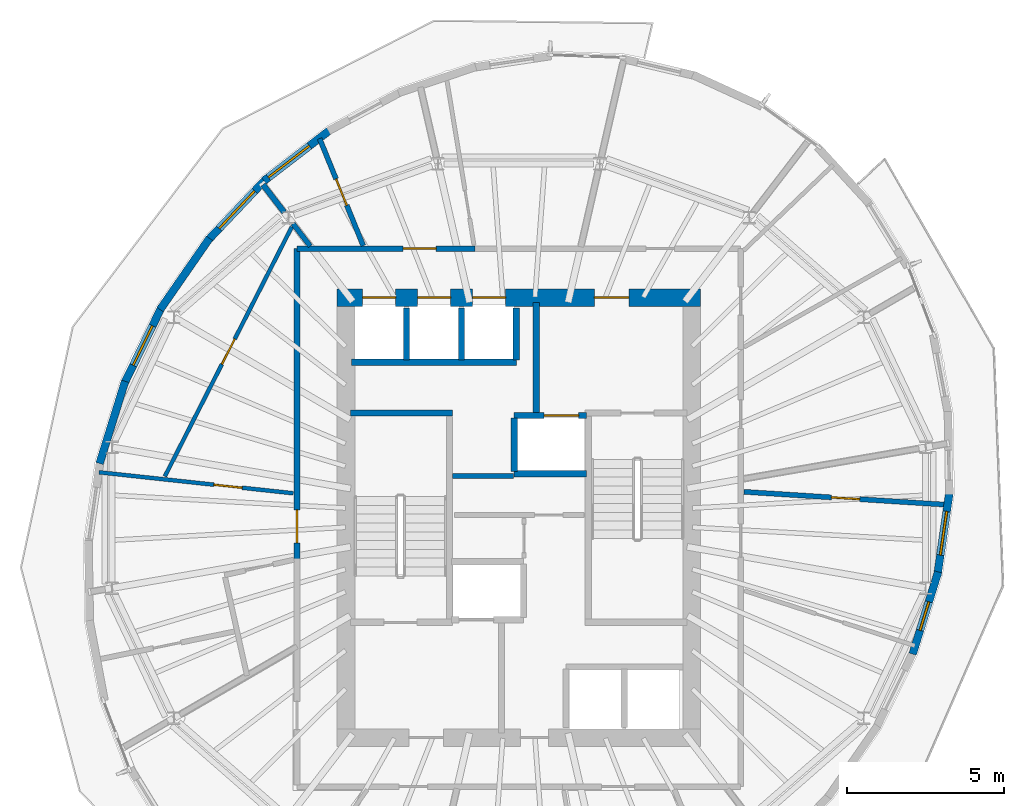
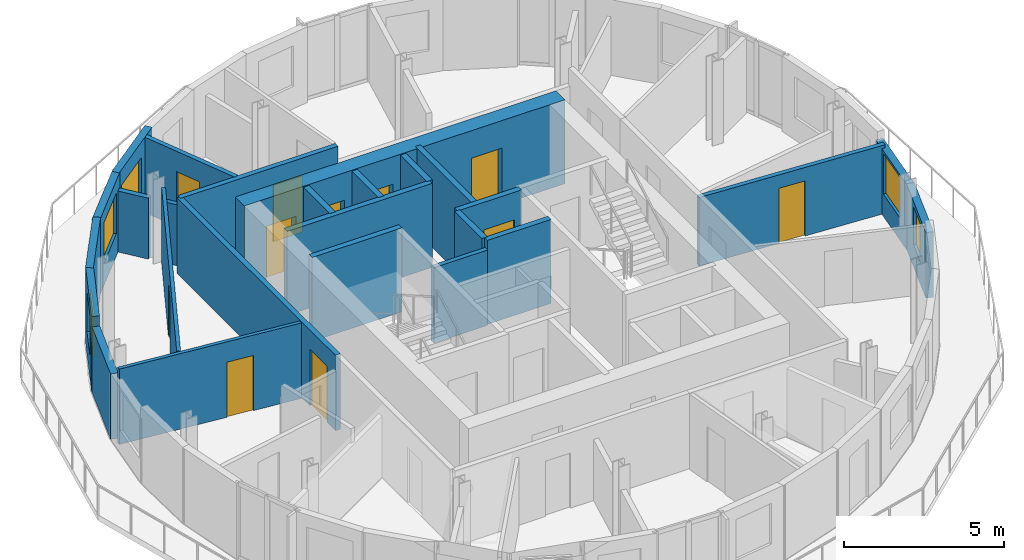
# One storey, part 6 of 11: 26 walls, 11 doors, 5 windows, 16 openings.
"""IFC4 building model written with IfcOpenShell, lengths in metres."""

from ifc_helpers import new_model, si_unit, direction, frame, frame_2d, origin, place, context, subcontext, project, spatial, rectangle, extrude, material, layer, layer_set, type_object, element, fill, save


model = new_model("IFC4")

# Units and contexts
model_context = context("Model", 3, precision=1e-05, world=origin(), true_north=direction((0.0, 1.0)))
body_context = subcontext(model_context, "Body", "Model", "MODEL_VIEW")
ifc_project = project(units=[si_unit("LENGTHUNIT", "METRE"), si_unit("AREAUNIT", "SQUARE_METRE"), si_unit("VOLUMEUNIT", "CUBIC_METRE"), si_unit("PLANEANGLEUNIT", "RADIAN"), si_unit("MASSUNIT", "GRAM", prefix="KILO")], contexts=[model_context])

# Site, building, storey
site_placement = place(None, origin())
site = spatial("IfcSite", under=ifc_project, at=site_placement, CompositionType="ELEMENT")
building_placement = place(site_placement, origin())
building = spatial("IfcBuilding", under=site, at=building_placement, Name="Veldorim Arch Residences", CompositionType="ELEMENT")
storey_placement = place(building_placement, frame((0.0, 0.0, 239.840087890625)))
storey = spatial("IfcBuildingStorey", under=building, at=storey_placement, Name="L72", CompositionType="ELEMENT", Elevation=239.840087890625)

# Wall, opening, door
ifc_material_1 = material(Name="Acoustic Gypsum Board", Category="gypsum")
ifc_layer_1 = layer(ifc_material_1, 0.125, Name="Acoustic Stud Room Partition Wall 125")
ifc_layer_set_1 = layer_set([ifc_layer_1], Name="Acoustic Gypsum Board")
wall_type_1 = type_object("IfcWallType", Name="Acoustic Stud Room Partition Wall 125", PredefinedType="PARTITIONING", material=ifc_layer_set_1)
wall_1_placement = place(storey_placement, frame((18.640380859375, 25.444580078125, 0.0), z_axis=(0.0, 0.0, 1.0), x_axis=(0.994206026696, -0.107491285604, 0.0)))
wall_1 = element("IfcWall", 1, at=wall_1_placement, inside=storey, type_object=wall_type_1, Name="L72 interior wall WL-RES-L72-025", PredefinedType="PARTITIONING", context=body_context, shape_type="SweptSolid", body=[
    extrude(rectangle(XDim=6.216552734375, YDim=0.125, at=frame_2d((3.1083984375, 0.0))), origin(), (0.0, 0.0, 1.0), 2.875),
])
opening_1_placement = place(wall_1_placement, frame((3.67822265625, 0.0, 0.0)))
opening_1 = element("IfcOpeningElement", 2, at=opening_1_placement, cuts=wall_1, Name="Opening DR-INT", PredefinedType="OPENING", context=body_context, shape_type="SweptSolid", body=[
    extrude(rectangle(XDim=0.89990234375, YDim=2.10009765625, at=frame_2d((0.449951171875, 1.050048828125))), frame((0.0, 0.072509765625, 0.0), z_axis=(0.0, -1.0, 0.0), x_axis=(1.0, 0.0, 0.0)), (0.0, 0.0, 1.0), 0.14501953125),
])
ifc_material_2 = material(Name="Engineered Timber", Category="wood")
door_type_1 = type_object("IfcDoorType", Name="Apartment Internal Room Timber Door 900x2100", OperationType="SINGLE_SWING_LEFT", PredefinedType="DOOR", material=ifc_material_2)
door_1_placement = place(opening_1_placement, origin())
door_1 = element("IfcDoor", 3, at=door_1_placement, inside=storey, type_object=door_type_1, Name="L72 interior door DR-RES-L72-017", OperationType="SINGLE_SWING_LEFT", OverallHeight=2.10009765625, OverallWidth=0.89990234375, PredefinedType="DOOR", context=body_context, shape_type="SweptSolid", body=[
    extrude(rectangle(XDim=0.89990234375, YDim=2.10009765625, at=frame_2d((0.449951171875, 1.050048828125))), frame((0.0, 0.02490234375, 0.0), z_axis=(0.0, -1.0, 0.0), x_axis=(1.0, 0.0, 0.0)), (0.0, 0.0, 1.0), 0.050048828125),
])
fill(opening_1, door_1)

wall_2_placement = place(storey_placement, frame((20.733642578125, 25.312255859375, 0.0), z_axis=(0.0, 0.0, 1.0), x_axis=(0.45353588766, 0.891238014564, 0.0)))
wall_2 = element("IfcWall", 4, at=wall_2_placement, inside=storey, type_object=wall_type_1, Name="L72 interior wall WL-RES-L72-028", PredefinedType="PARTITIONING", context=body_context, shape_type="SweptSolid", body=[
    extrude(rectangle(XDim=8.912109375, YDim=0.125, at=frame_2d((4.4560546875, 0.0))), origin(), (0.0, 0.0, 1.0), 2.875),
])
opening_2_placement = place(wall_2_placement, frame((4.006103515625, 0.0, 0.0)))
opening_2 = element("IfcOpeningElement", 5, at=opening_2_placement, cuts=wall_2, Name="Opening DR-INT", PredefinedType="OPENING", context=body_context, shape_type="SweptSolid", body=[
    extrude(rectangle(XDim=0.89990234375, YDim=2.10009765625, at=frame_2d((0.449951171875, 1.050048828125))), frame((0.0, 0.072509765625, 0.0), z_axis=(0.0, -1.0, 0.0), x_axis=(1.0, 0.0, 0.0)), (0.0, 0.0, 1.0), 0.14501953125),
])
door_2_placement = place(opening_2_placement, origin())
door_2 = element("IfcDoor", 6, at=door_2_placement, inside=storey, type_object=door_type_1, Name="L72 interior door DR-RES-L72-018", OperationType="SINGLE_SWING_RIGHT", OverallHeight=2.10009765625, OverallWidth=0.89990234375, PredefinedType="DOOR", context=body_context, shape_type="SweptSolid", body=[
    extrude(rectangle(XDim=0.89990234375, YDim=2.10009765625, at=frame_2d((0.449951171875, 1.050048828125))), frame((0.0, 0.02490234375, 0.0), z_axis=(0.0, -1.0, 0.0), x_axis=(1.0, 0.0, 0.0)), (0.0, 0.0, 1.0), 0.050048828125),
])
fill(opening_2, door_2)

# Wall
ifc_material_3 = material(Name="Lightweight Masonry Block & Gypsum", Category="masonry")
ifc_layer_2 = layer(ifc_material_3, 0.179931640625, Name="Compartment & Corridor Fire-Rated Party Wall 180")
ifc_layer_set_2 = layer_set([ifc_layer_2], Name="Lightweight Masonry Block & Gypsum")
wall_type_2 = type_object("IfcWallType", Name="Compartment & Corridor Fire-Rated Party Wall 180", PredefinedType="PARTITIONING", material=ifc_layer_set_2)
wall_3_placement = place(storey_placement, frame((24.53271484375, 33.719482421875, 0.0), z_axis=(0.0, 0.0, 1.0), x_axis=(-0.609209464238, 0.793009349682, 0.0)))
element("IfcWall", 7, at=wall_3_placement, inside=storey, type_object=wall_type_2, Name="L72 interior wall WL-PIER-L72-06", PredefinedType="PARTITIONING", context=body_context, shape_type="SweptSolid", body=[
    extrude(rectangle(XDim=1.1064453125, YDim=0.179931640625, at=frame_2d((0.55322265625, 0.0))), origin(), (0.0, 0.0, 1.0), 2.3232421875),
])

# Wall, opening, door
wall_4_placement = place(storey_placement, frame((24.93994140625, 32.56005859375, 0.0), z_axis=(0.0, 0.0, 1.0), x_axis=(1.0, 0.0, 0.0)))
wall_4 = element("IfcWall", 8, at=wall_4_placement, inside=storey, type_object=wall_type_2, Name="L72 interior wall WL-RES-L72-007", PredefinedType="PARTITIONING", context=body_context, shape_type="SweptSolid", body=[
    extrude(rectangle(XDim=5.671875, YDim=0.179931640625, at=frame_2d((2.8359375, 0.0))), origin(), (0.0, 0.0, 1.0), 2.875),
])
opening_3_placement = place(wall_4_placement, frame((3.373291015625, 0.0, 0.0)))
opening_3 = element("IfcOpeningElement", 9, at=opening_3_placement, cuts=wall_4, Name="Opening DR-FLT", PredefinedType="OPENING", context=body_context, shape_type="SweptSolid", body=[
    extrude(rectangle(XDim=1.050048828125, YDim=2.14990234375, at=frame_2d((0.52490234375, 1.074951171875))), frame((0.0, 0.099853515625, 0.0), z_axis=(0.0, -1.0, 0.0), x_axis=(1.0, 0.0, 0.0)), (0.0, 0.0, 1.0), 0.199951171875),
])
ifc_material_4 = material(Name="Fire-Rated Timber", Category="wood")
door_type_2 = type_object("IfcDoorType", Name="Apartment Entrance Solid-Core Fire Door 1050x2150", OperationType="SINGLE_SWING_LEFT", PredefinedType="DOOR", material=ifc_material_4)
door_3_placement = place(opening_3_placement, origin())
door_3 = element("IfcDoor", 10, at=door_3_placement, inside=storey, type_object=door_type_2, Name="L72 interior door DR-RES-L72-012", OperationType="SINGLE_SWING_RIGHT", OverallHeight=2.14990234375, OverallWidth=1.050048828125, PredefinedType="DOOR", context=body_context, shape_type="SweptSolid", body=[
    extrude(rectangle(XDim=1.050048828125, YDim=2.14990234375, at=frame_2d((0.52490234375, 1.074951171875))), frame((0.0, 0.02490234375, 0.0), z_axis=(0.0, -1.0, 0.0), x_axis=(1.0, 0.0, 0.0)), (0.0, 0.0, 1.0), 0.050048828125),
])
fill(opening_3, door_3)

wall_5_placement = place(storey_placement, frame((24.93994140625, 22.664306640625, 0.0), z_axis=(0.0, 0.0, 1.0), x_axis=(0.0, 1.0, 0.0)))
wall_5 = element("IfcWall", 11, at=wall_5_placement, inside=storey, type_object=wall_type_2, Name="L72 interior wall WL-RES-L72-008", PredefinedType="PARTITIONING", context=body_context, shape_type="SweptSolid", body=[
    extrude(rectangle(XDim=9.895751953125, YDim=0.179931640625, at=frame_2d((4.94775390625, 0.0))), origin(), (0.0, 0.0, 1.0), 2.875),
])
opening_4_placement = place(wall_5_placement, frame((0.53466796875, 0.0, 0.0)))
opening_4 = element("IfcOpeningElement", 12, at=opening_4_placement, cuts=wall_5, Name="Opening DR-FLT", PredefinedType="OPENING", context=body_context, shape_type="SweptSolid", body=[
    extrude(rectangle(XDim=1.050048828125, YDim=2.14990234375, at=frame_2d((0.52490234375, 1.074951171875))), frame((0.0, 0.099853515625, 0.0), z_axis=(0.0, -1.0, 0.0), x_axis=(1.0, 0.0, 0.0)), (0.0, 0.0, 1.0), 0.199951171875),
])
door_4_placement = place(opening_4_placement, origin())
door_4 = element("IfcDoor", 13, at=door_4_placement, inside=storey, type_object=door_type_2, Name="L72 interior door DR-RES-L72-015", OperationType="SINGLE_SWING_LEFT", OverallHeight=2.14990234375, OverallWidth=1.050048828125, PredefinedType="DOOR", context=body_context, shape_type="SweptSolid", body=[
    extrude(rectangle(XDim=1.050048828125, YDim=2.14990234375, at=frame_2d((0.52490234375, 1.074951171875))), frame((0.0, 0.02490234375, 0.0), z_axis=(0.0, -1.0, 0.0), x_axis=(1.0, 0.0, 0.0)), (0.0, 0.0, 1.0), 0.050048828125),
])
fill(opening_4, door_4)

# Walls
ifc_material_5 = material(Name="Concrete C50/60", Category="concrete")
ifc_layer_3 = layer(ifc_material_5, 0.199951171875, Name="Core Stair & Lift Shaft Enclosure Wall 200")
ifc_layer_set_3 = layer_set([ifc_layer_3], Name="Concrete C50/60")
wall_type_3 = type_object("IfcWallType", Name="Core Stair & Lift Shaft Enclosure Wall 200", PredefinedType="SHEAR", material=ifc_layer_set_3)
wall_6_placement = place(storey_placement, frame((26.64990234375, 27.330078125, 0.0), z_axis=(0.0, 0.0, 1.0), x_axis=(1.0, 0.0, 0.0)))
element("IfcWall", 14, at=wall_6_placement, inside=storey, type_object=wall_type_3, Name="L72 shaft wall WL-SHF-L72-ST1-N", PredefinedType="SHEAR", context=body_context, shape_type="SweptSolid", body=[
    extrude(rectangle(XDim=3.239990234375, YDim=0.199951171875, at=frame_2d((1.6201171875, 0.0))), origin(), (0.0, 0.0, 1.0), 3.199951171875),
])
wall_7_placement = place(storey_placement, frame((32.550048828125, 27.35009765625, 0.0), z_axis=(0.0, 0.0, 1.0), x_axis=(0.0, 1.0, 0.0)))
element("IfcWall", 15, at=wall_7_placement, inside=storey, type_object=wall_type_3, Name="L72 shaft wall WL-FFL2-L72-W", PredefinedType="SHEAR", context=body_context, shape_type="SweptSolid", body=[
    extrude(rectangle(XDim=3.5, YDim=0.199951171875, at=frame_2d((1.75, 0.0))), origin(), (0.0, 0.0, 1.0), 3.199951171875),
])

# Wall, opening, door
wall_8_placement = place(storey_placement, frame((31.85009765625, 27.25, 0.0), z_axis=(0.0, 0.0, 1.0), x_axis=(1.0, 0.0, 0.0)))
wall_8 = element("IfcWall", 16, at=wall_8_placement, inside=storey, type_object=wall_type_3, Name="L72 shaft wall WL-FL02-L72-N", PredefinedType="SHEAR", context=body_context, shape_type="SweptSolid", body=[
    extrude(rectangle(XDim=2.2998046875, YDim=0.199951171875, at=frame_2d((1.14990234375, 0.0))), origin(), (0.0, 0.0, 1.0), 3.199951171875),
])
opening_5_placement = place(wall_8_placement, frame((0.949951171875, 0.0, 0.0)))
opening_5 = element("IfcOpeningElement", 17, at=opening_5_placement, cuts=wall_8, Name="Opening LD-FF", PredefinedType="OPENING", context=body_context, shape_type="SweptSolid", body=[
    extrude(rectangle(XDim=1.10009765625, YDim=2.14990234375, at=frame_2d((0.550048828125, 1.074951171875))), frame((0.0, 0.10986328125, 0.0), z_axis=(0.0, -1.0, 0.0), x_axis=(1.0, 0.0, 0.0)), (0.0, 0.0, 1.0), 0.219970703125),
])
ifc_material_6 = material(Name="Stainless Steel", Category="steel")
door_type_3 = type_object("IfcDoorType", Name="Firefighting Lift Bi-Parting Sliding Landing Door 1100x2150", OperationType="DOUBLE_DOOR_SLIDING", PredefinedType="DOOR", material=ifc_material_6)
door_5_placement = place(opening_5_placement, origin())
door_5 = element("IfcDoor", 18, at=door_5_placement, inside=storey, type_object=door_type_3, Name="L72 lift landing door LD-L72-FL02", OperationType="DOUBLE_DOOR_SLIDING", OverallHeight=2.14990234375, OverallWidth=1.10009765625, PredefinedType="DOOR", context=body_context, shape_type="SweptSolid", body=[
    extrude(rectangle(XDim=1.10009765625, YDim=2.14990234375, at=frame_2d((0.550048828125, 1.074951171875))), frame((0.0, 0.02490234375, 0.0), z_axis=(0.0, -1.0, 0.0), x_axis=(1.0, 0.0, 0.0)), (0.0, 0.0, 1.0), 0.050048828125),
])
fill(opening_5, door_5)

# Walls
wall_9_placement = place(storey_placement, frame((31.85009765625, 25.39990234375, 0.0), z_axis=(0.0, 0.0, 1.0), x_axis=(1.0, 0.0, 0.0)))
element("IfcWall", 19, at=wall_9_placement, inside=storey, type_object=wall_type_3, Name="L72 shaft wall WL-FL02-L72-S", PredefinedType="SHEAR", context=body_context, shape_type="SweptSolid", body=[
    extrude(rectangle(XDim=2.2998046875, YDim=0.199951171875, at=frame_2d((1.14990234375, 0.0))), origin(), (0.0, 0.0, 1.0), 3.199951171875),
])
wall_10_placement = place(storey_placement, frame((31.85009765625, 25.469970703125, 0.0), z_axis=(0.0, 0.0, 1.0), x_axis=(0.0, 1.0, 0.0)))
element("IfcWall", 20, at=wall_10_placement, inside=storey, type_object=wall_type_3, Name="L72 shaft wall WL-FL02-L72-W", PredefinedType="SHEAR", context=body_context, shape_type="SweptSolid", body=[
    extrude(rectangle(XDim=1.7099609375, YDim=0.199951171875, at=frame_2d((0.85498046875, 0.0))), origin(), (0.0, 0.0, 1.0), 3.199951171875),
])
wall_11_placement = place(storey_placement, frame((26.679931640625, 28.949951171875, 0.0), z_axis=(0.0, 0.0, 1.0), x_axis=(1.0, 0.0, 0.0)))
element("IfcWall", 21, at=wall_11_placement, inside=storey, type_object=wall_type_3, Name="L72 shaft wall WL-B3-L72-S", PredefinedType="SHEAR", context=body_context, shape_type="SweptSolid", body=[
    extrude(rectangle(XDim=5.239990234375, YDim=0.199951171875, at=frame_2d((2.6201171875, 0.0))), origin(), (0.0, 0.0, 1.0), 3.199951171875),
])
for number, where, z_axis, x_axis, name in (
    (22, (31.919921875, 29.02001953125, 0.0), (0.0, 0.0, 1.0), (0.0, 1.0, 0.0), "L72 shaft wall WL-B3-L72-E"),
    (23, (28.425048828125, 29.02001953125, 0.0), (0.0, 0.0, 1.0), (0.0, 1.0, 0.0), "L72 shaft wall WL-B3-L72-D1"),
    (24, (30.175048828125, 29.02001953125, 0.0), (0.0, 0.0, 1.0), (0.0, 1.0, 0.0), "L72 shaft wall WL-B3-L72-D2"),
):
    element("IfcWall", number, at=place(storey_placement, frame(where, z_axis=z_axis, x_axis=x_axis)), inside=storey, type_object=wall_type_3, Name=name, PredefinedType="SHEAR", context=body_context, shape_type="SweptSolid", body=[
        extrude(rectangle(XDim=1.659912109375, YDim=0.199951171875, at=frame_2d((0.830078125, 0.0))), origin(), (0.0, 0.0, 1.0), 3.199951171875),
    ])

# Wall, opening, window
ifc_material_7 = material(Name="Precast concrete C40/50", Category="concrete")
ifc_layer_4 = layer(ifc_material_7, 0.25, Name="Tower Terracotta Spandrel & Pier Wall 250")
ifc_layer_set_4 = layer_set([ifc_layer_4], Name="Precast concrete C40/50")
wall_type_4 = type_object("IfcWallType", Name="Tower Terracotta Spandrel & Pier Wall 250", PredefinedType="SOLIDWALL", material=ifc_layer_set_4)
wall_12_placement = place(storey_placement, frame((23.888671875, 34.720947265625, 0.0), z_axis=(0.0, 0.0, 1.0), x_axis=(0.792543354822, 0.609815571076, 0.0)))
wall_12 = element("IfcWall", 25, at=wall_12_placement, inside=storey, type_object=wall_type_4, Name="L72 terracotta facade wall 07", PredefinedType="SOLIDWALL", context=body_context, shape_type="SweptSolid", body=[
    extrude(rectangle(XDim=2.70166015625, YDim=0.25, at=frame_2d((1.350830078125, 0.0))), origin(), (0.0, 0.0, 1.0), 2.8798828125),
])
opening_6_placement = place(wall_12_placement, frame((0.175048828125, 0.0, 0.85009765625)))
opening_6 = element("IfcOpeningElement", 26, at=opening_6_placement, cuts=wall_12, Name="Opening WN-03", PredefinedType="OPENING", context=body_context, shape_type="SweptSolid", body=[
    extrude(rectangle(XDim=1.64990234375, YDim=1.43994140625, at=frame_2d((0.824951171875, 0.719970703125))), frame((0.0, 0.135009765625, 0.0), z_axis=(0.0, -1.0, 0.0), x_axis=(1.0, 0.0, 0.0)), (0.0, 0.0, 1.0), 0.27001953125),
])
ifc_material_8 = material(Name="Laminated Low-E Glass", Category="glass")
window_type_1 = type_object("IfcWindowType", Name="Residential Wide Window 1650x1550", PartitioningType="SINGLE_PANEL", PredefinedType="WINDOW", material=ifc_material_8)
window_1_placement = place(opening_6_placement, origin())
window_1 = element("IfcWindow", 27, at=window_1_placement, inside=storey, type_object=window_type_1, Name="L72 solar-control facade window 07", OverallHeight=1.43994140625, OverallWidth=1.64990234375, PartitioningType="SINGLE_PANEL", PredefinedType="WINDOW", context=body_context, shape_type="SweptSolid", body=[
    extrude(rectangle(XDim=1.64990234375, YDim=1.43994140625, at=frame_2d((0.824951171875, 0.719970703125))), frame((0.0, 0.030029296875, 0.0), z_axis=(0.0, -1.0, 0.0), x_axis=(1.0, 0.0, 0.0)), (0.0, 0.0, 1.0), 0.06005859375),
])
fill(opening_6, window_1)

wall_13_placement = place(storey_placement, frame((22.08544921875, 32.806884765625, 0.0), z_axis=(0.0, 0.0, 1.0), x_axis=(0.688046261031, 0.725666826223, 0.0)))
wall_13 = element("IfcWall", 28, at=wall_13_placement, inside=storey, type_object=wall_type_4, Name="L72 terracotta facade wall 08", PredefinedType="SOLIDWALL", context=body_context, shape_type="SweptSolid", body=[
    extrude(rectangle(XDim=2.738525390625, YDim=0.25, at=frame_2d((1.369140625, 0.0))), origin(), (0.0, 0.0, 1.0), 2.8798828125),
])
opening_7_placement = place(wall_13_placement, frame((0.5439453125, 0.0, 0.85009765625)))
opening_7 = element("IfcOpeningElement", 29, at=opening_7_placement, cuts=wall_13, Name="Opening WN-03", PredefinedType="OPENING", context=body_context, shape_type="SweptSolid", body=[
    extrude(rectangle(XDim=1.64990234375, YDim=1.550048828125, at=frame_2d((0.824951171875, 0.77490234375))), frame((0.0, 0.135009765625, 0.0), z_axis=(0.0, -1.0, 0.0), x_axis=(1.0, 0.0, 0.0)), (0.0, 0.0, 1.0), 0.27001953125),
])
window_2_placement = place(opening_7_placement, origin())
window_2 = element("IfcWindow", 30, at=window_2_placement, inside=storey, type_object=window_type_1, Name="L72 solar-control facade window 08", OverallHeight=1.550048828125, OverallWidth=1.64990234375, PartitioningType="SINGLE_PANEL", PredefinedType="WINDOW", context=body_context, shape_type="SweptSolid", body=[
    extrude(rectangle(XDim=1.64990234375, YDim=1.550048828125, at=frame_2d((0.824951171875, 0.77490234375))), frame((0.0, 0.030029296875, 0.0), z_axis=(0.0, -1.0, 0.0), x_axis=(1.0, 0.0, 0.0)), (0.0, 0.0, 1.0), 0.06005859375),
])
fill(opening_7, window_2)

# Wall
wall_14_placement = place(storey_placement, frame((20.583740234375, 30.6240234375, 0.0), z_axis=(0.0, 0.0, 1.0), x_axis=(0.569421689582, 0.822045582333, 0.0)))
element("IfcWall", 31, at=wall_14_placement, inside=storey, type_object=wall_type_4, Name="L72 terracotta facade wall 09", PredefinedType="SOLIDWALL", context=body_context, shape_type="SweptSolid", body=[
    extrude(rectangle(XDim=2.758056640625, YDim=0.25, at=frame_2d((1.37890625, 0.0))), origin(), (0.0, 0.0, 1.0), 2.8798828125),
])

# Wall, opening, window
wall_15_placement = place(storey_placement, frame((19.42919921875, 28.2392578125, 0.0), z_axis=(0.0, 0.0, 1.0), x_axis=(0.438517804861, 0.898722501565, 0.0)))
wall_15 = element("IfcWall", 32, at=wall_15_placement, inside=storey, type_object=wall_type_4, Name="L72 terracotta facade wall 10", PredefinedType="SOLIDWALL", context=body_context, shape_type="SweptSolid", body=[
    extrude(rectangle(XDim=2.758056640625, YDim=0.25, at=frame_2d((1.37890625, 0.0))), origin(), (0.0, 0.0, 1.0), 2.8798828125),
])
opening_8_placement = place(wall_15_placement, frame((0.678955078125, 0.0, 0.85009765625)))
opening_8 = element("IfcOpeningElement", 33, at=opening_8_placement, cuts=wall_15, Name="Opening WN-02", PredefinedType="OPENING", context=body_context, shape_type="SweptSolid", body=[
    extrude(rectangle(XDim=1.39990234375, YDim=1.550048828125, at=frame_2d((0.699951171875, 0.77490234375))), frame((0.0, 0.135009765625, 0.0), z_axis=(0.0, -1.0, 0.0), x_axis=(1.0, 0.0, 0.0)), (0.0, 0.0, 1.0), 0.27001953125),
])
ifc_material_9 = material(Name="Laminated Low-E Glass", Category="glass")
window_type_2 = type_object("IfcWindowType", Name="Residential Casement Window 1400x1550", PartitioningType="SINGLE_PANEL", PredefinedType="WINDOW", material=ifc_material_9)
window_3_placement = place(opening_8_placement, origin())
window_3 = element("IfcWindow", 34, at=window_3_placement, inside=storey, type_object=window_type_2, Name="L72 solar-control facade window 10", OverallHeight=1.550048828125, OverallWidth=1.39990234375, PartitioningType="SINGLE_PANEL", PredefinedType="WINDOW", context=body_context, shape_type="SweptSolid", body=[
    extrude(rectangle(XDim=1.39990234375, YDim=1.550048828125, at=frame_2d((0.699951171875, 0.77490234375))), frame((0.0, 0.030029296875, 0.0), z_axis=(0.0, -1.0, 0.0), x_axis=(1.0, 0.0, 0.0)), (0.0, 0.0, 1.0), 0.06005859375),
])
fill(opening_8, window_3)

# Wall
wall_16_placement = place(storey_placement, frame((18.657470703125, 25.72509765625, 0.0), z_axis=(0.0, 0.0, 1.0), x_axis=(0.29642164717, 0.955057174775, 0.0)))
element("IfcWall", 35, at=wall_16_placement, inside=storey, type_object=wall_type_4, Name="L72 terracotta facade wall 11", PredefinedType="SOLIDWALL", context=body_context, shape_type="SweptSolid", body=[
    extrude(rectangle(XDim=2.738525390625, YDim=0.25, at=frame_2d((1.369140625, 0.0))), origin(), (0.0, 0.0, 1.0), 2.496826171875),
])

# Wall, opening, window
wall_17_placement = place(storey_placement, frame((45.342529296875, 22.27490234375, 0.0), z_axis=(0.0, 0.0, 1.0), x_axis=(-0.29642164717, -0.955057174775, 0.0)))
wall_17 = element("IfcWall", 36, at=wall_17_placement, inside=storey, type_object=wall_type_4, Name="L72 terracotta facade wall 29", PredefinedType="SOLIDWALL", context=body_context, shape_type="SweptSolid", body=[
    extrude(rectangle(XDim=2.738525390625, YDim=0.25, at=frame_2d((1.369140625, 0.0))), origin(), (0.0, 0.0, 1.0), 2.496826171875),
])
opening_9_placement = place(wall_17_placement, frame((0.9970703125, 0.0, 0.85009765625)))
opening_9 = element("IfcOpeningElement", 37, at=opening_9_placement, cuts=wall_17, Name="Opening WN-05", PredefinedType="OPENING", context=body_context, shape_type="SweptSolid", body=[
    extrude(rectangle(XDim=0.949951171875, YDim=1.449951171875, at=frame_2d((0.47509765625, 0.72509765625))), frame((0.0, 0.135009765625, 0.0), z_axis=(0.0, -1.0, 0.0), x_axis=(1.0, 0.0, 0.0)), (0.0, 0.0, 1.0), 0.27001953125),
])
ifc_material_10 = material(Name="Laminated Low-E Glass", Category="glass")
window_type_3 = type_object("IfcWindowType", Name="Residential Compact Casement Window 950x1450", PartitioningType="SINGLE_PANEL", PredefinedType="WINDOW", material=ifc_material_10)
window_4_placement = place(opening_9_placement, origin())
window_4 = element("IfcWindow", 38, at=window_4_placement, inside=storey, type_object=window_type_3, Name="L72 solar-control facade window 29", OverallHeight=1.449951171875, OverallWidth=0.949951171875, PartitioningType="SINGLE_PANEL", PredefinedType="WINDOW", context=body_context, shape_type="SweptSolid", body=[
    extrude(rectangle(XDim=0.949951171875, YDim=1.449951171875, at=frame_2d((0.47509765625, 0.72509765625))), frame((0.0, 0.030029296875, 0.0), z_axis=(0.0, -1.0, 0.0), x_axis=(1.0, 0.0, 0.0)), (0.0, 0.0, 1.0), 0.06005859375),
])
fill(opening_9, window_4)

wall_18_placement = place(storey_placement, frame((45.7080078125, 24.841796875, 0.0), z_axis=(0.0, 0.0, 1.0), x_axis=(-0.144229466115, -0.989544269401, 0.0)))
wall_18 = element("IfcWall", 39, at=wall_18_placement, inside=storey, type_object=wall_type_4, Name="L72 terracotta facade wall 30", PredefinedType="SOLIDWALL", context=body_context, shape_type="SweptSolid", body=[
    extrude(rectangle(XDim=2.70166015625, YDim=0.25, at=frame_2d((1.350830078125, 0.0))), origin(), (0.0, 0.0, 1.0), 2.496826171875),
])
opening_10_placement = place(wall_18_placement, frame((0.65087890625, 0.0, 0.85009765625)))
opening_10 = element("IfcOpeningElement", 40, at=opening_10_placement, cuts=wall_18, Name="Opening WN-02", PredefinedType="OPENING", context=body_context, shape_type="SweptSolid", body=[
    extrude(rectangle(XDim=1.39990234375, YDim=1.550048828125, at=frame_2d((0.699951171875, 0.77490234375))), frame((0.0, 0.135009765625, 0.0), z_axis=(0.0, -1.0, 0.0), x_axis=(1.0, 0.0, 0.0)), (0.0, 0.0, 1.0), 0.27001953125),
])
window_5_placement = place(opening_10_placement, origin())
window_5 = element("IfcWindow", 41, at=window_5_placement, inside=storey, type_object=window_type_2, Name="L72 solar-control facade window 30", OverallHeight=1.550048828125, OverallWidth=1.39990234375, PartitioningType="SINGLE_PANEL", PredefinedType="WINDOW", context=body_context, shape_type="SweptSolid", body=[
    extrude(rectangle(XDim=1.39990234375, YDim=1.550048828125, at=frame_2d((0.699951171875, 0.77490234375))), frame((0.0, 0.030029296875, 0.0), z_axis=(0.0, -1.0, 0.0), x_axis=(1.0, 0.0, 0.0)), (0.0, 0.0, 1.0), 0.06005859375),
])
fill(opening_10, window_5)

# Wall, openings, doors
ifc_material_11 = material(Name="Concrete C50/60", Category="concrete")
ifc_layer_5 = layer(ifc_material_11, 0.5, Name="Upper Central Core Shear Wall 560")
ifc_layer_set_5 = layer_set([ifc_layer_5], Name="Concrete C50/60")
wall_type_5 = type_object("IfcWallType", Name="Upper Central Core Shear Wall 560", PredefinedType="SHEAR", material=ifc_layer_set_5)
wall_19_placement = place(storey_placement, frame((26.219970703125, 31.0, 0.0), z_axis=(0.0, 0.0, 1.0), x_axis=(1.0, 0.0, 0.0)))
wall_19 = element("IfcWall", 42, at=wall_19_placement, inside=storey, type_object=wall_type_5, Name="L72 central core north shear wall", PredefinedType="SHEAR", context=body_context, shape_type="SweptSolid", body=[
    extrude(rectangle(XDim=11.56005859375, YDim=0.56005859375, at=frame_2d((5.780029296875, 0.0))), origin(), (0.0, 0.0, 1.0), 3.199951171875),
])
opening_11_placement = place(wall_19_placement, frame((8.179931640625, 0.0, 0.0)))
opening_11 = element("IfcOpeningElement", 43, at=opening_11_placement, cuts=wall_19, Name="Opening DR-FFL", PredefinedType="OPENING", context=body_context, shape_type="SweptSolid", body=[
    extrude(rectangle(XDim=1.10009765625, YDim=2.14990234375, at=frame_2d((0.550048828125, 1.074951171875))), frame((0.0, 0.2900390625, 0.0), z_axis=(0.0, -1.0, 0.0), x_axis=(1.0, 0.0, 0.0)), (0.0, 0.0, 1.0), 0.580078125),
])
opening_12_placement = place(wall_19_placement, frame((0.804931640625, 0.0, 0.0)))
opening_12 = element("IfcOpeningElement", 44, at=opening_12_placement, cuts=wall_19, Name="Opening LD-PS", PredefinedType="OPENING", context=body_context, shape_type="SweptSolid", body=[
    extrude(rectangle(XDim=1.050048828125, YDim=2.14990234375, at=frame_2d((0.52490234375, 1.074951171875))), frame((0.0, 0.2900390625, 0.0), z_axis=(0.0, -1.0, 0.0), x_axis=(1.0, 0.0, 0.0)), (0.0, 0.0, 1.0), 0.580078125),
])
opening_13_placement = place(wall_19_placement, frame((2.554931640625, 0.0, 0.0)))
opening_13 = element("IfcOpeningElement", 45, at=opening_13_placement, cuts=wall_19, Name="Opening LD-PS", PredefinedType="OPENING", context=body_context, shape_type="SweptSolid", body=[
    extrude(rectangle(XDim=1.050048828125, YDim=2.14990234375, at=frame_2d((0.52490234375, 1.074951171875))), frame((0.0, 0.2900390625, 0.0), z_axis=(0.0, -1.0, 0.0), x_axis=(1.0, 0.0, 0.0)), (0.0, 0.0, 1.0), 0.580078125),
])
opening_14_placement = place(wall_19_placement, frame((4.304931640625, 0.0, 0.0)))
opening_14 = element("IfcOpeningElement", 46, at=opening_14_placement, cuts=wall_19, Name="Opening LD-PS", PredefinedType="OPENING", context=body_context, shape_type="SweptSolid", body=[
    extrude(rectangle(XDim=1.050048828125, YDim=2.14990234375, at=frame_2d((0.52490234375, 1.074951171875))), frame((0.0, 0.2900390625, 0.0), z_axis=(0.0, -1.0, 0.0), x_axis=(1.0, 0.0, 0.0)), (0.0, 0.0, 1.0), 0.580078125),
])
ifc_material_12 = material(Name="Fire-Rated Steel & Vision Glass", Category="steel")
door_type_4 = type_object("IfcDoorType", Name="Firefighting Lobby Smoke-Stop Fire Door 1100x2150", OperationType="SINGLE_SWING_LEFT", PredefinedType="DOOR", material=ifc_material_12)
door_6_placement = place(opening_11_placement, origin())
door_6 = element("IfcDoor", 47, at=door_6_placement, inside=storey, type_object=door_type_4, Name="L72 interior door DR-L72-FFL2", OperationType="SINGLE_SWING_LEFT", OverallHeight=2.14990234375, OverallWidth=1.10009765625, PredefinedType="DOOR", context=body_context, shape_type="SweptSolid", body=[
    extrude(rectangle(XDim=1.10009765625, YDim=2.14990234375, at=frame_2d((0.550048828125, 1.074951171875))), frame((0.0, 0.02490234375, 0.0), z_axis=(0.0, -1.0, 0.0), x_axis=(1.0, 0.0, 0.0)), (0.0, 0.0, 1.0), 0.050048828125),
])
fill(opening_11, door_6)
ifc_material_13 = material(Name="Stainless Steel", Category="steel")
door_type_5 = type_object("IfcDoorType", Name="Passenger Lift Bi-Parting Sliding Landing Door 1050x2150", OperationType="DOUBLE_DOOR_SLIDING", PredefinedType="DOOR", material=ifc_material_13)
door_7_placement = place(opening_12_placement, origin())
door_7 = element("IfcDoor", 48, at=door_7_placement, inside=storey, type_object=door_type_5, Name="L72 lift landing door LD-L72-PL-08", OperationType="DOUBLE_DOOR_SLIDING", OverallHeight=2.14990234375, OverallWidth=1.050048828125, PredefinedType="DOOR", context=body_context, shape_type="SweptSolid", body=[
    extrude(rectangle(XDim=1.050048828125, YDim=2.14990234375, at=frame_2d((0.52490234375, 1.074951171875))), frame((0.0, 0.02490234375, 0.0), z_axis=(0.0, -1.0, 0.0), x_axis=(1.0, 0.0, 0.0)), (0.0, 0.0, 1.0), 0.050048828125),
])
fill(opening_12, door_7)
door_8_placement = place(opening_13_placement, origin())
door_8 = element("IfcDoor", 49, at=door_8_placement, inside=storey, type_object=door_type_5, Name="L72 lift landing door LD-L72-PL-09", OperationType="DOUBLE_DOOR_SLIDING", OverallHeight=2.14990234375, OverallWidth=1.050048828125, PredefinedType="DOOR", context=body_context, shape_type="SweptSolid", body=[
    extrude(rectangle(XDim=1.050048828125, YDim=2.14990234375, at=frame_2d((0.52490234375, 1.074951171875))), frame((0.0, 0.02490234375, 0.0), z_axis=(0.0, -1.0, 0.0), x_axis=(1.0, 0.0, 0.0)), (0.0, 0.0, 1.0), 0.050048828125),
])
fill(opening_13, door_8)
door_9_placement = place(opening_14_placement, origin())
door_9 = element("IfcDoor", 50, at=door_9_placement, inside=storey, type_object=door_type_5, Name="L72 lift landing door LD-L72-PL-10", OperationType="DOUBLE_DOOR_SLIDING", OverallHeight=2.14990234375, OverallWidth=1.050048828125, PredefinedType="DOOR", context=body_context, shape_type="SweptSolid", body=[
    extrude(rectangle(XDim=1.050048828125, YDim=2.14990234375, at=frame_2d((0.52490234375, 1.074951171875))), frame((0.0, 0.02490234375, 0.0), z_axis=(0.0, -1.0, 0.0), x_axis=(1.0, 0.0, 0.0)), (0.0, 0.0, 1.0), 0.050048828125),
])
fill(opening_14, door_9)

# Wall
ifc_material_14 = material(Name="Moisture-Resistant Gypsum & Stud", Category="gypsum")
ifc_layer_6 = layer(ifc_material_14, 0.159912109375, Name="Wet-Area Moisture-Resistant Plumbing Wall 160")
ifc_layer_set_6 = layer_set([ifc_layer_6], Name="Moisture-Resistant Gypsum & Stud")
wall_type_6 = type_object("IfcWallType", Name="Wet-Area Moisture-Resistant Plumbing Wall 160", PredefinedType="PLUMBINGWALL", material=ifc_layer_set_6)
wall_20_placement = place(storey_placement, frame((29.889892578125, 25.330078125, 0.0), z_axis=(0.0, 0.0, 1.0), x_axis=(1.0, 0.0, 0.0)))
element("IfcWall", 51, at=wall_20_placement, inside=storey, type_object=wall_type_6, Name="L72 interior wall WL-CA-L72-N", PredefinedType="PLUMBINGWALL", context=body_context, shape_type="SweptSolid", body=[
    extrude(rectangle(XDim=1.940185546875, YDim=0.159912109375, at=frame_2d((0.97021484375, 0.0))), origin(), (0.0, 0.0, 1.0), 2.875),
])

# Wall, opening, door
wall_21_placement = place(storey_placement, frame((39.159912109375, 24.822998046875, 0.0), z_axis=(0.0, 0.0, 1.0), x_axis=(0.997982507088, -0.063489491621, 0.0)))
wall_21 = element("IfcWall", 52, at=wall_21_placement, inside=storey, type_object=wall_type_6, Name="L72 interior wall WL-RES-L72-015", PredefinedType="PLUMBINGWALL", context=body_context, shape_type="SweptSolid", body=[
    extrude(rectangle(XDim=6.4833984375, YDim=0.159912109375, at=frame_2d((3.24169921875, 0.0))), origin(), (0.0, 0.0, 1.0), 2.61181640625),
])
opening_15_placement = place(wall_21_placement, frame((2.79150390625, 0.0, 0.0)))
opening_15 = element("IfcOpeningElement", 53, at=opening_15_placement, cuts=wall_21, Name="Opening DR-WC", PredefinedType="OPENING", context=body_context, shape_type="SweptSolid", body=[
    extrude(rectangle(XDim=0.89990234375, YDim=2.10009765625, at=frame_2d((0.449951171875, 1.050048828125))), frame((0.0, 0.08984375, 0.0), z_axis=(0.0, -1.0, 0.0), x_axis=(1.0, 0.0, 0.0)), (0.0, 0.0, 1.0), 0.179931640625),
])
ifc_material_15 = material(Name="Laminate Timber", Category="wood")
door_type_6 = type_object("IfcDoorType", Name="Bathroom & Accessible WC Moisture-Sealed Door 900x2100", OperationType="SINGLE_SWING_LEFT", PredefinedType="DOOR", material=ifc_material_15)
door_10_placement = place(opening_15_placement, origin())
door_10 = element("IfcDoor", 54, at=door_10_placement, inside=storey, type_object=door_type_6, Name="L72 interior door DR-RES-L72-007", OperationType="SINGLE_SWING_LEFT", OverallHeight=2.10009765625, OverallWidth=0.89990234375, PredefinedType="DOOR", context=body_context, shape_type="SweptSolid", body=[
    extrude(rectangle(XDim=0.89990234375, YDim=2.10009765625, at=frame_2d((0.449951171875, 1.050048828125))), frame((0.0, 0.02490234375, 0.0), z_axis=(0.0, -1.0, 0.0), x_axis=(1.0, 0.0, 0.0)), (0.0, 0.0, 1.0), 0.050048828125),
])
fill(opening_15, door_10)

wall_22_placement = place(storey_placement, frame((27.048828125, 32.652587890625, 0.0), z_axis=(0.0, 0.0, 1.0), x_axis=(-0.377313729351, 0.92608549802, 0.0)))
wall_22 = element("IfcWall", 55, at=wall_22_placement, inside=storey, type_object=wall_type_6, Name="L72 interior wall WL-RES-L72-021", PredefinedType="PLUMBINGWALL", context=body_context, shape_type="SweptSolid", body=[
    extrude(rectangle(XDim=3.68359375, YDim=0.159912109375, at=frame_2d((1.841796875, 0.0))), origin(), (0.0, 0.0, 1.0), 2.875),
])
opening_16_placement = place(wall_22_placement, frame((1.391845703125, 0.0, 0.0)))
opening_16 = element("IfcOpeningElement", 56, at=opening_16_placement, cuts=wall_22, Name="Opening DR-WC", PredefinedType="OPENING", context=body_context, shape_type="SweptSolid", body=[
    extrude(rectangle(XDim=0.89990234375, YDim=2.10009765625, at=frame_2d((0.449951171875, 1.050048828125))), frame((0.0, 0.08984375, 0.0), z_axis=(0.0, -1.0, 0.0), x_axis=(1.0, 0.0, 0.0)), (0.0, 0.0, 1.0), 0.179931640625),
])
door_11_placement = place(opening_16_placement, origin())
door_11 = element("IfcDoor", 57, at=door_11_placement, inside=storey, type_object=door_type_6, Name="L72 interior door DR-RES-L72-013", OperationType="SINGLE_SWING_LEFT", OverallHeight=2.10009765625, OverallWidth=0.89990234375, PredefinedType="DOOR", context=body_context, shape_type="SweptSolid", body=[
    extrude(rectangle(XDim=0.89990234375, YDim=2.10009765625, at=frame_2d((0.449951171875, 1.050048828125))), frame((0.0, 0.02490234375, 0.0), z_axis=(0.0, -1.0, 0.0), x_axis=(1.0, 0.0, 0.0)), (0.0, 0.0, 1.0), 0.050048828125),
])
fill(opening_16, door_11)

# Wall
wall_23_placement = place(storey_placement, frame((25.362548828125, 32.639404296875, 0.0), z_axis=(0.0, 0.0, 1.0), x_axis=(-0.609243305896, 0.792983350532, 0.0)))
element("IfcWall", 58, at=wall_23_placement, inside=storey, type_object=wall_type_6, Name="L72 interior wall WL-RES-L72-023", PredefinedType="PLUMBINGWALL", context=body_context, shape_type="SweptSolid", body=[
    extrude(rectangle(XDim=0.908935546875, YDim=0.159912109375, at=frame_2d((0.45458984375, 0.0))), origin(), (0.0, 0.0, 1.0), 2.3232421875),
])

save(model, "model.ifc")
